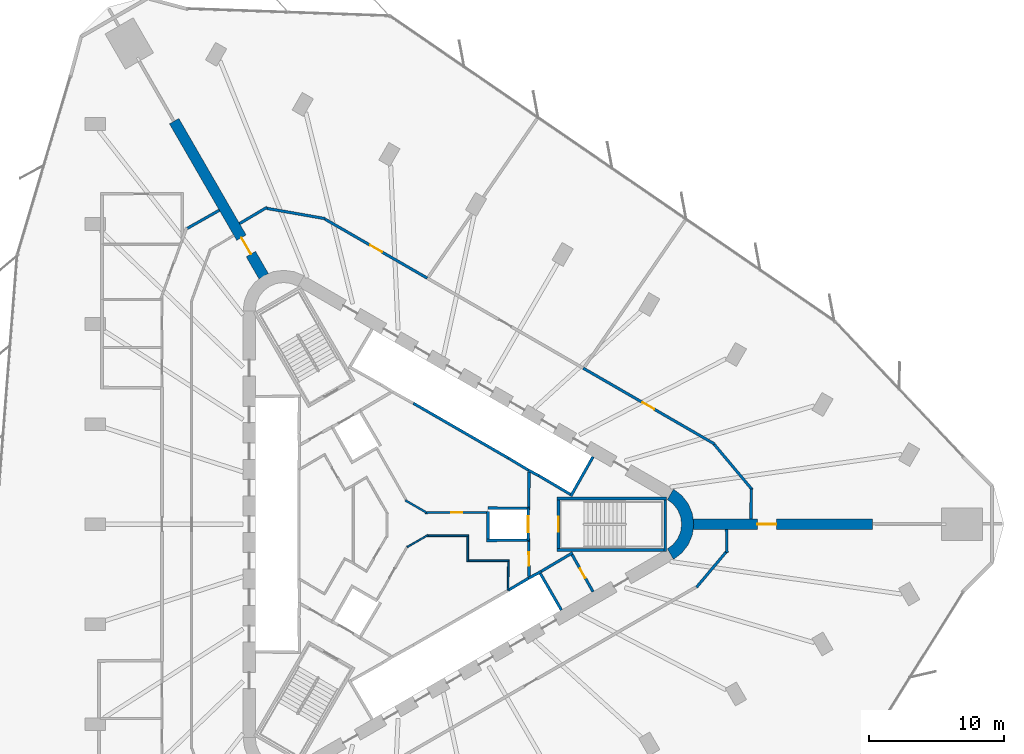
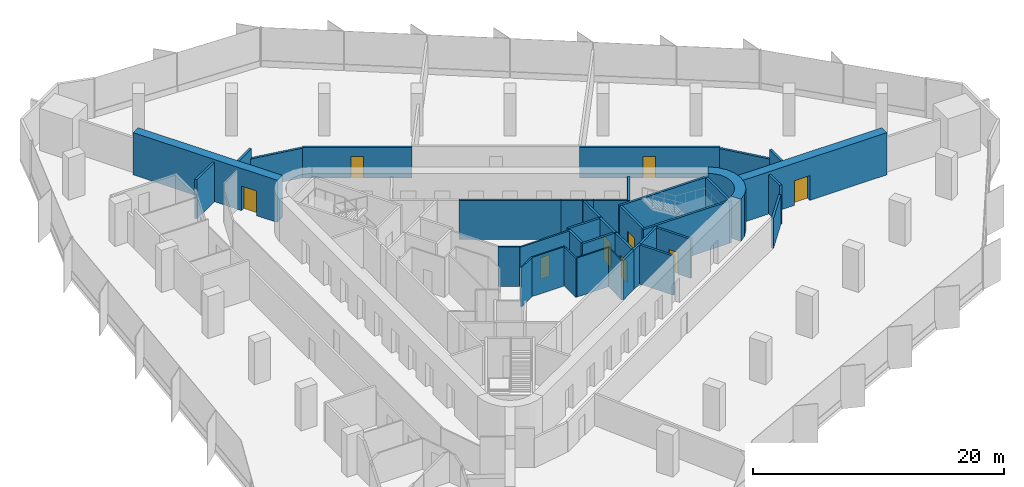
# One storey, part 12 of 15: 39 walls, 9 doors, 9 openings.
"""IFC4 building model written with IfcOpenShell, lengths in metres."""

from ifc_helpers import new_model, si_unit, direction, frame, frame_2d, origin, place, context, subcontext, project, spatial, polyline, rectangle, outline, extrude, material, layer, layer_set, type_object, element, fill, save


model = new_model("IFC4")

# Units and contexts
model_context = context("Model", 3, precision=1e-05, world=origin(), true_north=direction((0.0, 1.0)))
body_context = subcontext(model_context, "Body", "Model", "MODEL_VIEW")
ifc_project = project(units=[si_unit("LENGTHUNIT", "METRE"), si_unit("AREAUNIT", "SQUARE_METRE"), si_unit("VOLUMEUNIT", "CUBIC_METRE"), si_unit("PLANEANGLEUNIT", "RADIAN"), si_unit("MASSUNIT", "GRAM", prefix="KILO")], contexts=[model_context])

# Site, building, storey
site_placement = place(None, origin())
site = spatial("IfcSite", under=ifc_project, at=site_placement, CompositionType="ELEMENT")
building_placement = place(site_placement, origin())
building = spatial("IfcBuilding", under=site, at=building_placement, Name="Tanit Gate Tower", CompositionType="ELEMENT")
storey_placement = place(building_placement, frame((0.0, 0.0, 94.699951171875)))
storey = spatial("IfcBuildingStorey", under=building, at=storey_placement, Name="L19", CompositionType="ELEMENT", Elevation=94.699951171875)

# Wall, opening, door
ifc_material_1 = material(Name="Concrete C60/75", Category="concrete")
ifc_layer_1 = layer(ifc_material_1, 0.800048828125)
ifc_layer_set_1 = layer_set([ifc_layer_1], Name="BUTTRESS FIN 800 C60/75")
wall_type_1 = type_object("IfcWallType", Name="BUTTRESS FIN 800 C60/75", PredefinedType="SHEAR", material=ifc_layer_set_1)
wall_1_placement = place(storey_placement, frame((21.14990234375, 0.0, 0.0), z_axis=(0.0, 0.0, 1.0), x_axis=(1.0, 0.0, 0.0)))
wall_1 = element("IfcWall", 1, at=wall_1_placement, inside=storey, type_object=wall_type_1, Name="BUTTRESS FIN", PredefinedType="SHEAR", context=body_context, shape_type="SweptSolid", body=[
    extrude(rectangle(XDim=13.240966796875, YDim=0.800048828125, at=frame_2d((6.62060546875, 0.0))), origin(), (0.0, 0.0, 1.0), 4.10009765625),
])
opening_1_placement = place(wall_1_placement, frame((4.75, 0.0, 0.0)))
opening_1 = element("IfcOpeningElement", 2, at=opening_1_placement, cuts=wall_1, Name="Opening P14-S04-F-E-1", PredefinedType="OPENING", context=body_context, shape_type="SweptSolid", body=[
    extrude(rectangle(XDim=1.39990234375, YDim=2.39990234375, at=frame_2d((0.699951171875, 1.199951171875))), frame((0.0, 0.41015625, 0.0), z_axis=(0.0, -1.0, 0.0), x_axis=(1.0, 0.0, 0.0)), (0.0, 0.0, 1.0), 0.820068359375),
])
ifc_material_2 = material(Name="Timber door leaf", Category="wood")
door_type_1 = type_object("IfcDoorType", Name="INT-DOOR-FIN-PAIR-1400", OperationType="NOTDEFINED", PredefinedType="NOTDEFINED", material=ifc_material_2)
door_1_placement = place(opening_1_placement, origin())
door_1 = element("IfcDoor", 3, at=door_1_placement, inside=storey, type_object=door_type_1, Name="Door P14-S04-F-E-1", OperationType="DOUBLE_DOOR_SINGLE_SWING", OverallHeight=2.39990234375, OverallWidth=1.39990234375, PredefinedType="NOTDEFINED", context=body_context, shape_type="SweptSolid", body=[
    extrude(rectangle(XDim=1.39990234375, YDim=2.39990234375, at=frame_2d((0.699951171875, 1.199951171875))), frame((0.0, 0.02490234375, 0.0), z_axis=(0.0, -1.0, 0.0), x_axis=(1.0, 0.0, 0.0)), (0.0, 0.0, 1.0), 0.050048828125),
])
fill(opening_1, door_1)

wall_2_placement = place(storey_placement, frame((-10.574951171875, 18.31640625, 0.0), z_axis=(0.0, 0.0, 1.0), x_axis=(-0.500006018292, 0.866021929094, 0.0)))
wall_2 = element("IfcWall", 4, at=wall_2_placement, inside=storey, type_object=wall_type_1, Name="BUTTRESS FIN", PredefinedType="SHEAR", context=body_context, shape_type="SweptSolid", body=[
    extrude(rectangle(XDim=13.240966796875, YDim=0.800048828125, at=frame_2d((6.62060546875, 0.0))), origin(), (0.0, 0.0, 1.0), 4.10009765625),
])
opening_2_placement = place(wall_2_placement, frame((1.89990234375, 0.0, 0.0)))
opening_2 = element("IfcOpeningElement", 5, at=opening_2_placement, cuts=wall_2, Name="Opening P14-S04-F-NW-1", PredefinedType="OPENING", context=body_context, shape_type="SweptSolid", body=[
    extrude(rectangle(XDim=1.39990234375, YDim=2.39990234375, at=frame_2d((0.699951171875, 1.199951171875))), frame((0.0, 0.41015625, 0.0), z_axis=(0.0, -1.0, 0.0), x_axis=(1.0, 0.0, 0.0)), (0.0, 0.0, 1.0), 0.820068359375),
])
door_2_placement = place(opening_2_placement, origin())
door_2 = element("IfcDoor", 6, at=door_2_placement, inside=storey, type_object=door_type_1, Name="Door P14-S04-F-NW-1", OperationType="DOUBLE_DOOR_SINGLE_SWING", OverallHeight=2.39990234375, OverallWidth=1.39990234375, PredefinedType="NOTDEFINED", context=body_context, shape_type="SweptSolid", body=[
    extrude(rectangle(XDim=1.39990234375, YDim=2.39990234375, at=frame_2d((0.699951171875, 1.199951171875))), frame((0.0, 0.02490234375, 0.0), z_axis=(0.0, -1.0, 0.0), x_axis=(1.0, 0.0, 0.0)), (0.0, 0.0, 1.0), 0.050048828125),
])
fill(opening_2, door_2)

# Walls
ifc_material_3 = material(Name="Concrete C60/75", Category="concrete")
ifc_layer_2 = layer(ifc_material_3, 0.89990234375)
ifc_layer_set_2 = layer_set([ifc_layer_2], Name="CORE WALL 900 C60/75")
wall_type_2 = type_object("IfcWallType", Name="CORE WALL 900 C60/75", PredefinedType="SHEAR", material=ifc_layer_set_2)
wall_3_placement = place(storey_placement, origin())
element("IfcWall", 7, at=wall_3_placement, inside=storey, type_object=wall_type_2, Name="CORE WALL CORNER", PredefinedType="SHEAR", context=body_context, shape_type="SweptSolid", body=[
    extrude(outline(polyline([(19.699951171875, -2.59814453125), (20.3212890625, -2.121337890625), (20.798095703125, -1.5), (21.097900390625, -0.776611328125), (21.199951171875, 0.0), (21.097900390625, 0.776611328125), (20.798095703125, 1.5), (20.3212890625, 2.121337890625), (19.699951171875, 2.59814453125), (19.25, 1.818603515625), (19.684814453125, 1.48486328125), (20.018798828125, 1.050048828125), (20.228515625, 0.54345703125), (20.300048828125, 0.0), (20.228515625, -0.54345703125), (20.018798828125, -1.050048828125), (19.684814453125, -1.48486328125), (19.25, -1.818603515625), (19.699951171875, -2.59814453125)])), origin(), (0.0, 0.0, 1.0), 4.10009765625),
])
ifc_material_4 = material(Name="Fire-rated gypsum board partition")
ifc_layer_3 = layer(ifc_material_4, 0.199951171875)
ifc_layer_set_3 = layer_set([ifc_layer_3], Name="INT-WALL-COMPARTMENT")
wall_type_3 = type_object("IfcWallType", Name="INT-WALL-COMPARTMENT", PredefinedType="PARTITIONING", material=ifc_layer_set_3)
wall_4_placement = place(storey_placement, frame((12.244873046875, -2.10888671875, 0.0), z_axis=(0.0, 0.0, 1.0), x_axis=(-0.860414880418, -0.509594185166, 0.0)))
element("IfcWall", 8, at=wall_4_placement, inside=storey, type_object=wall_type_3, Name="Wall Compartment W057", PredefinedType="PARTITIONING", context=body_context, shape_type="SweptSolid", body=[
    extrude(rectangle(XDim=2.7001953125, YDim=0.199951171875, at=frame_2d((1.35009765625, 0.0))), origin(), (0.0, 0.0, 1.0), 3.800048828125),
])

# Wall, opening, door
wall_5_placement = place(storey_placement, frame((13.758056640625, -4.989501953125, 0.0), z_axis=(0.0, 0.0, 1.0), x_axis=(-0.491993409184, 0.87059892334, 0.0)))
wall_5 = element("IfcWall", 9, at=wall_5_placement, inside=storey, type_object=wall_type_3, Name="Wall Compartment W058", PredefinedType="PARTITIONING", context=body_context, shape_type="SweptSolid", body=[
    extrude(rectangle(XDim=3.150146484375, YDim=0.199951171875, at=frame_2d((1.5751953125, 0.0))), origin(), (0.0, 0.0, 1.0), 3.800048828125),
])
opening_3_placement = place(wall_5_placement, frame((1.175048828125, 0.0, 0.0)))
opening_3 = element("IfcOpeningElement", 10, at=opening_3_placement, cuts=wall_5, Name="Opening R08-S04-14", PredefinedType="OPENING", context=body_context, shape_type="SweptSolid", body=[
    extrude(rectangle(XDim=0.800048828125, YDim=2.10009765625, at=frame_2d((0.39990234375, 1.050048828125))), frame((0.0, 0.10986328125, 0.0), z_axis=(0.0, -1.0, 0.0), x_axis=(1.0, 0.0, 0.0)), (0.0, 0.0, 1.0), 0.219970703125),
])
ifc_material_5 = material(Name="Timber door leaf", Category="wood")
door_type_2 = type_object("IfcDoorType", Name="INT-DOOR-RISER-800", OperationType="NOTDEFINED", PredefinedType="USERDEFINED", material=ifc_material_5)
door_3_placement = place(opening_3_placement, origin())
door_3 = element("IfcDoor", 11, at=door_3_placement, inside=storey, type_object=door_type_2, Name="Door R08-S04-14", ObjectType="FIRE DOOR", OperationType="SINGLE_SWING_RIGHT", OverallHeight=2.10009765625, OverallWidth=0.800048828125, PredefinedType="USERDEFINED", context=body_context, shape_type="SweptSolid", body=[
    extrude(rectangle(XDim=0.800048828125, YDim=2.10009765625, at=frame_2d((0.39990234375, 1.050048828125))), frame((0.0, 0.02490234375, 0.0), z_axis=(0.0, -1.0, 0.0), x_axis=(1.0, 0.0, 0.0)), (0.0, 0.0, 1.0), 0.050048828125),
])
fill(opening_3, door_3)

# Wall
wall_6_placement = place(storey_placement, frame((9.0009765625, 1.27001953125, 0.0), z_axis=(0.0, 0.0, 1.0), x_axis=(0.010784614026, 0.999941844359, 0.0)))
element("IfcWall", 12, at=wall_6_placement, inside=storey, type_object=wall_type_3, Name="Wall Compartment W059", PredefinedType="PARTITIONING", context=body_context, shape_type="SweptSolid", body=[
    extrude(rectangle(XDim=2.580810546875, YDim=0.199951171875, at=frame_2d((1.29052734375, 0.0))), origin(), (0.0, 0.0, 1.0), 3.800048828125),
])

# Wall, opening, door
wall_7_placement = place(storey_placement, frame((9.02880859375, -3.850830078125, 0.0), z_axis=(0.0, 0.0, 1.0), x_axis=(-0.010783593937, 0.99994185536, 0.0)))
wall_7 = element("IfcWall", 13, at=wall_7_placement, inside=storey, type_object=wall_type_3, Name="Wall Compartment W060", PredefinedType="PARTITIONING", context=body_context, shape_type="SweptSolid", body=[
    extrude(rectangle(XDim=2.5810546875, YDim=0.199951171875, at=frame_2d((1.29052734375, 0.0))), origin(), (0.0, 0.0, 1.0), 3.800048828125),
])
opening_4_placement = place(wall_7_placement, frame((0.79052734375, 0.0, 0.0)))
opening_4 = element("IfcOpeningElement", 14, at=opening_4_placement, cuts=wall_7, Name="Opening F10-S04-02", PredefinedType="OPENING", context=body_context, shape_type="SweptSolid", body=[
    extrude(rectangle(XDim=1.0, YDim=2.10009765625, at=frame_2d((0.5, 1.050048828125))), frame((0.0, 0.10986328125, 0.0), z_axis=(0.0, -1.0, 0.0), x_axis=(1.0, 0.0, 0.0)), (0.0, 0.0, 1.0), 0.219970703125),
])
ifc_material_6 = material(Name="Fire-rated steel door leaf", Category="steel")
door_type_3 = type_object("IfcDoorType", Name="INT-DOOR-FIRE-1000", OperationType="NOTDEFINED", PredefinedType="USERDEFINED", material=ifc_material_6)
door_4_placement = place(opening_4_placement, origin())
door_4 = element("IfcDoor", 15, at=door_4_placement, inside=storey, type_object=door_type_3, Name="Door F10-S04-02", ObjectType="FIRE DOOR", OperationType="SINGLE_SWING_RIGHT", OverallHeight=2.10009765625, OverallWidth=1.0, PredefinedType="USERDEFINED", context=body_context, shape_type="SweptSolid", body=[
    extrude(rectangle(XDim=1.0, YDim=2.10009765625, at=frame_2d((0.5, 1.050048828125))), frame((0.0, 0.02490234375, 0.0), z_axis=(0.0, -1.0, 0.0), x_axis=(1.0, 0.0, 0.0)), (0.0, 0.0, 1.0), 0.050048828125),
])
fill(opening_4, door_4)

# Walls
wall_8_placement = place(storey_placement, frame((-13.8564453125, 23.199951171875, 0.0), z_axis=(0.0, 0.0, 1.0), x_axis=(-0.870639942446, -0.491920817426, 0.0)))
element("IfcWall", 16, at=wall_8_placement, inside=storey, type_object=wall_type_3, Name="Wall Compartment W095", PredefinedType="PARTITIONING", context=body_context, shape_type="SweptSolid", body=[
    extrude(rectangle(XDim=2.771240234375, YDim=0.199951171875, at=frame_2d((1.3857421875, 0.0))), origin(), (0.0, 0.0, 1.0), 3.800048828125),
])
wall_9_placement = place(storey_placement, frame((-10.3388671875, 23.4150390625, 0.0), z_axis=(0.0, 0.0, 1.0), x_axis=(-0.860316803263, -0.509759745393, 0.0)))
element("IfcWall", 17, at=wall_9_placement, inside=storey, type_object=wall_type_3, Name="Wall Compartment W103", PredefinedType="PARTITIONING", context=body_context, shape_type="SweptSolid", body=[
    extrude(rectangle(XDim=2.35400390625, YDim=0.199951171875, at=frame_2d((1.177001953125, 0.0))), origin(), (0.0, 0.0, 1.0), 3.800048828125),
])
wall_10_placement = place(storey_placement, frame((-6.042236328125, 22.58056640625, 0.0), z_axis=(0.0, 0.0, 1.0), x_axis=(-0.984805258509, 0.173662324106, 0.0)))
element("IfcWall", 18, at=wall_10_placement, inside=storey, type_object=wall_type_3, Name="Wall Compartment W104", PredefinedType="PARTITIONING", context=body_context, shape_type="SweptSolid", body=[
    extrude(rectangle(XDim=4.415771484375, YDim=0.199951171875, at=frame_2d((2.2080078125, 0.0))), origin(), (0.0, 0.0, 1.0), 2.880126953125),
])

# Wall, opening, door
wall_11_placement = place(storey_placement, frame((22.727294921875, 5.930908203125, 0.0), z_axis=(0.0, 0.0, 1.0), x_axis=(-0.866021821949, 0.50000620387, 0.0)))
wall_11 = element("IfcWall", 19, at=wall_11_placement, inside=storey, type_object=wall_type_3, Name="Wall Compartment W107", PredefinedType="PARTITIONING", context=body_context, shape_type="SweptSolid", body=[
    extrude(rectangle(XDim=11.196533203125, YDim=0.199951171875, at=frame_2d((5.59814453125, 0.0))), origin(), (0.0, 0.0, 1.0), 2.97998046875),
])
opening_5_placement = place(wall_11_placement, frame((5.13623046875, 0.0, 0.0)))
opening_5 = element("IfcOpeningElement", 20, at=opening_5_placement, cuts=wall_11, Name="Opening F10-S04-28", PredefinedType="OPENING", context=body_context, shape_type="SweptSolid", body=[
    extrude(rectangle(XDim=1.0, YDim=2.10009765625, at=frame_2d((0.5, 1.050048828125))), frame((0.0, 0.10986328125, 0.0), z_axis=(0.0, -1.0, 0.0), x_axis=(1.0, 0.0, 0.0)), (0.0, 0.0, 1.0), 0.219970703125),
])
door_5_placement = place(opening_5_placement, origin())
door_5 = element("IfcDoor", 21, at=door_5_placement, inside=storey, type_object=door_type_3, Name="Door F10-S04-28", ObjectType="FIRE DOOR", OperationType="SINGLE_SWING_RIGHT", OverallHeight=2.10009765625, OverallWidth=1.0, PredefinedType="USERDEFINED", context=body_context, shape_type="SweptSolid", body=[
    extrude(rectangle(XDim=1.0, YDim=2.10009765625, at=frame_2d((0.5, 1.050048828125))), frame((0.0, 0.02490234375, 0.0), z_axis=(0.0, -1.0, 0.0), x_axis=(1.0, 0.0, 0.0)), (0.0, 0.0, 1.0), 0.050048828125),
])
fill(opening_5, door_5)

wall_12_placement = place(storey_placement, frame((1.506103515625, 18.18310546875, 0.0), z_axis=(0.0, 0.0, 1.0), x_axis=(-0.866028170149, 0.499995208485, 0.0)))
wall_12 = element("IfcWall", 22, at=wall_12_placement, inside=storey, type_object=wall_type_3, Name="Wall Compartment W105", PredefinedType="PARTITIONING", context=body_context, shape_type="SweptSolid", body=[
    extrude(rectangle(XDim=8.7294921875, YDim=0.199951171875, at=frame_2d((4.36474609375, 0.0))), origin(), (0.0, 0.0, 1.0), 2.97998046875),
])
opening_6_placement = place(wall_12_placement, frame((3.86474609375, 0.0, 0.0)))
opening_6 = element("IfcOpeningElement", 23, at=opening_6_placement, cuts=wall_12, Name="Opening F10-S04-26", PredefinedType="OPENING", context=body_context, shape_type="SweptSolid", body=[
    extrude(rectangle(XDim=1.0, YDim=2.10009765625, at=frame_2d((0.5, 1.050048828125))), frame((0.0, 0.10986328125, 0.0), z_axis=(0.0, -1.0, 0.0), x_axis=(1.0, 0.0, 0.0)), (0.0, 0.0, 1.0), 0.219970703125),
])
door_6_placement = place(opening_6_placement, origin())
door_6 = element("IfcDoor", 24, at=door_6_placement, inside=storey, type_object=door_type_3, Name="Door F10-S04-26", ObjectType="FIRE DOOR", OperationType="SINGLE_SWING_LEFT", OverallHeight=2.10009765625, OverallWidth=1.0, PredefinedType="USERDEFINED", context=body_context, shape_type="SweptSolid", body=[
    extrude(rectangle(XDim=1.0, YDim=2.10009765625, at=frame_2d((0.5, 1.050048828125))), frame((0.0, 0.02490234375, 0.0), z_axis=(0.0, -1.0, 0.0), x_axis=(1.0, 0.0, 0.0)), (0.0, 0.0, 1.0), 0.050048828125),
])
fill(opening_6, door_6)

# Walls
wall_13_placement = place(storey_placement, frame((25.52099609375, 2.548095703125, 0.0), z_axis=(0.0, 0.0, 1.0), x_axis=(-0.642784253626, 0.766047259176, 0.0)))
element("IfcWall", 25, at=wall_13_placement, inside=storey, type_object=wall_type_3, Name="Wall Compartment W108", PredefinedType="PARTITIONING", context=body_context, shape_type="SweptSolid", body=[
    extrude(rectangle(XDim=4.381103515625, YDim=0.199951171875, at=frame_2d((2.1904296875, 0.0))), origin(), (0.0, 0.0, 1.0), 2.880126953125),
])
wall_14_placement = place(storey_placement, frame((25.420654296875, 0.39990234375, 0.0), z_axis=(0.0, 0.0, 1.0), x_axis=(0.011376843137, 0.999935281626, 0.0)))
element("IfcWall", 26, at=wall_14_placement, inside=storey, type_object=wall_type_3, Name="Wall Compartment W109", PredefinedType="PARTITIONING", context=body_context, shape_type="SweptSolid", body=[
    extrude(rectangle(XDim=2.18896484375, YDim=0.199951171875, at=frame_2d((1.094482421875, 0.0))), origin(), (0.0, 0.0, 1.0), 3.800048828125),
])
wall_15_placement = place(storey_placement, frame((23.64794921875, -2.097900390625, 0.0), z_axis=(0.0, 0.0, 1.0), x_axis=(-0.015095332307, 0.99988605898, 0.0)))
element("IfcWall", 27, at=wall_15_placement, inside=storey, type_object=wall_type_3, Name="Wall Compartment W110", PredefinedType="PARTITIONING", context=body_context, shape_type="SweptSolid", body=[
    extrude(rectangle(XDim=1.6982421875, YDim=0.199951171875, at=frame_2d((0.84912109375, 0.0))), origin(), (0.0, 0.0, 1.0), 3.800048828125),
])
wall_16_placement = place(storey_placement, frame((21.4013671875, -4.657470703125, 0.0), z_axis=(0.0, 0.0, 1.0), x_axis=(0.642796210095, 0.766037226437, 0.0)))
element("IfcWall", 28, at=wall_16_placement, inside=storey, type_object=wall_type_3, Name="Wall Compartment W111", PredefinedType="PARTITIONING", context=body_context, shape_type="SweptSolid", body=[
    extrude(rectangle(XDim=3.44287109375, YDim=0.199951171875, at=frame_2d((1.721435546875, 0.0))), origin(), (0.0, 0.0, 1.0), 2.880126953125),
])
ifc_material_7 = material(Name="Gypsum board partition")
ifc_layer_4 = layer(ifc_material_7, 0.1201171875)
ifc_layer_set_4 = layer_set([ifc_layer_4], Name="INT-WALL-PARTITION")
wall_type_4 = type_object("IfcWallType", Name="INT-WALL-PARTITION", PredefinedType="PARTITIONING", material=ifc_layer_set_4)
wall_17_placement = place(storey_placement, frame((1.562255859375, -0.798095703125, 0.0), z_axis=(0.0, 0.0, 1.0), x_axis=(-0.86601248742, -0.500022371132, 0.0)))
element("IfcWall", 29, at=wall_17_placement, inside=storey, type_object=wall_type_4, Name="Wall Partition W069", PredefinedType="PARTITIONING", context=body_context, shape_type="SweptSolid", body=[
    extrude(rectangle(XDim=1.78515625, YDim=0.1201171875, at=frame_2d((0.892578125, 0.0))), origin(), (0.0, 0.0, 1.0), 3.800048828125),
])
wall_18_placement = place(storey_placement, frame((4.56005859375, -0.85009765625, 0.0), z_axis=(0.0, 0.0, 1.0), x_axis=(-1.0, 0.0, 0.0)))
element("IfcWall", 30, at=wall_18_placement, inside=storey, type_object=wall_type_4, Name="Wall Partition W070", PredefinedType="PARTITIONING", context=body_context, shape_type="SweptSolid", body=[
    extrude(rectangle(XDim=3.0693359375, YDim=0.1201171875, at=frame_2d((1.53466796875, 0.0))), origin(), (0.0, 0.0, 1.0), 3.800048828125),
])
wall_19_placement = place(storey_placement, frame((4.5, -2.760009765625, 0.0), z_axis=(0.0, 0.0, 1.0), x_axis=(0.0, 1.0, 0.0)))
element("IfcWall", 31, at=wall_19_placement, inside=storey, type_object=wall_type_4, Name="Wall Partition W071", PredefinedType="PARTITIONING", context=body_context, shape_type="SweptSolid", body=[
    extrude(rectangle(XDim=1.85009765625, YDim=0.1201171875, at=frame_2d((0.925048828125, 0.0))), origin(), (0.0, 0.0, 1.0), 3.800048828125),
])
wall_20_placement = place(storey_placement, frame((7.56005859375, -2.699951171875, 0.0), z_axis=(0.0, 0.0, 1.0), x_axis=(-1.0, 0.0, 0.0)))
element("IfcWall", 32, at=wall_20_placement, inside=storey, type_object=wall_type_4, Name="Wall Partition W072", PredefinedType="PARTITIONING", context=body_context, shape_type="SweptSolid", body=[
    extrude(rectangle(XDim=3.0, YDim=0.1201171875, at=frame_2d((1.5, 0.0))), origin(), (0.0, 0.0, 1.0), 3.800048828125),
])
wall_21_placement = place(storey_placement, frame((7.474609375, -4.864501953125, 0.0), z_axis=(0.0, 0.0, 1.0), x_axis=(0.011716133148, 0.999931363757, 0.0)))
element("IfcWall", 33, at=wall_21_placement, inside=storey, type_object=wall_type_4, Name="Wall Partition W073", PredefinedType="PARTITIONING", context=body_context, shape_type="SweptSolid", body=[
    extrude(rectangle(XDim=2.104736328125, YDim=0.1201171875, at=frame_2d((1.05224609375, 0.0))), origin(), (0.0, 0.0, 1.0), 3.800048828125),
])

# Wall, opening, door
ifc_material_8 = material(Name="Fire-rated gypsum board partition")
ifc_layer_5 = layer(ifc_material_8, 0.14990234375)
ifc_layer_set_5 = layer_set([ifc_layer_5], Name="INT-WALL-RISER")
wall_type_5 = type_object("IfcWallType", Name="INT-WALL-RISER", PredefinedType="PLUMBINGWALL", material=ifc_layer_set_5)
wall_22_placement = place(storey_placement, frame((1.34423828125, 0.84912109375, 0.0), z_axis=(0.0, 0.0, 1.0), x_axis=(0.999978627641, 0.00653790957, 0.0)))
wall_22 = element("IfcWall", 34, at=wall_22_placement, inside=storey, type_object=wall_type_5, Name="Wall Riser W065", PredefinedType="PLUMBINGWALL", context=body_context, shape_type="SweptSolid", body=[
    extrude(rectangle(XDim=4.5556640625, YDim=0.14990234375, at=frame_2d((2.27783203125, 0.0))), origin(), (0.0, 0.0, 1.0), 3.800048828125),
])
opening_7_placement = place(wall_22_placement, frame((1.94189453125, 0.0, 0.0)))
opening_7 = element("IfcOpeningElement", 35, at=opening_7_placement, cuts=wall_22, Name="Opening R08-S04-10", PredefinedType="OPENING", context=body_context, shape_type="SweptSolid", body=[
    extrude(rectangle(XDim=0.800048828125, YDim=2.10009765625, at=frame_2d((0.39990234375, 1.050048828125))), frame((0.0, 0.0849609375, 0.0), z_axis=(0.0, -1.0, 0.0), x_axis=(1.0, 0.0, 0.0)), (0.0, 0.0, 1.0), 0.169921875),
])
door_7_placement = place(opening_7_placement, origin())
door_7 = element("IfcDoor", 36, at=door_7_placement, inside=storey, type_object=door_type_2, Name="Door R08-S04-10", ObjectType="FIRE DOOR", OperationType="SINGLE_SWING_LEFT", OverallHeight=2.10009765625, OverallWidth=0.800048828125, PredefinedType="USERDEFINED", context=body_context, shape_type="SweptSolid", body=[
    extrude(rectangle(XDim=0.800048828125, YDim=2.10009765625, at=frame_2d((0.39990234375, 1.050048828125))), frame((0.0, 0.02490234375, 0.0), z_axis=(0.0, -1.0, 0.0), x_axis=(1.0, 0.0, 0.0)), (0.0, 0.0, 1.0), 0.050048828125),
])
fill(opening_7, door_7)

# Walls
wall_23_placement = place(storey_placement, frame((-0.11083984375, 1.763916015625, 0.0), z_axis=(0.0, 0.0, 1.0), x_axis=(0.866061671171, -0.499937177781, 0.0)))
element("IfcWall", 37, at=wall_23_placement, inside=storey, type_object=wall_type_5, Name="Wall Riser W066", PredefinedType="PLUMBINGWALL", context=body_context, shape_type="SweptSolid", body=[
    extrude(rectangle(XDim=1.804443359375, YDim=0.14990234375, at=frame_2d((0.90234375, 0.0))), origin(), (0.0, 0.0, 1.0), 3.800048828125),
])
ifc_material_9 = material(Name="Gypsum shaft wall system")
ifc_layer_6 = layer(ifc_material_9, 0.199951171875)
ifc_layer_set_6 = layer_set([ifc_layer_6], Name="INT-WALL-SHAFT")
wall_type_6 = type_object("IfcWallType", Name="INT-WALL-SHAFT", PredefinedType="PLUMBINGWALL", material=ifc_layer_set_6)
wall_24_placement = place(storey_placement, frame((7.497314453125, 4.885986328125, 0.0), z_axis=(0.0, 0.0, 1.0), x_axis=(-0.866030989016, 0.499990325971, 0.0)))
element("IfcWall", 38, at=wall_24_placement, inside=storey, type_object=wall_type_6, Name="Wall Shaft W003", PredefinedType="PLUMBINGWALL", context=body_context, shape_type="SweptSolid", body=[
    extrude(rectangle(XDim=8.099853515625, YDim=0.199951171875, at=frame_2d((4.0498046875, 0.0))), origin(), (0.0, 0.0, 1.0), 3.800048828125),
])
wall_25_placement = place(storey_placement, frame((12.10986328125, 2.07275390625, 0.0), z_axis=(0.0, 0.0, 1.0), x_axis=(0.49196600604, 0.870614408852, 0.0)))
element("IfcWall", 39, at=wall_25_placement, inside=storey, type_object=wall_type_6, Name="Wall Shaft W013", PredefinedType="PLUMBINGWALL", context=body_context, shape_type="SweptSolid", body=[
    extrude(rectangle(XDim=3.35009765625, YDim=0.199951171875, at=frame_2d((1.675048828125, 0.0))), origin(), (0.0, 0.0, 1.0), 3.800048828125),
])
wall_26_placement = place(storey_placement, frame((12.072998046875, 2.2109375, 0.0), z_axis=(0.0, 0.0, 1.0), x_axis=(-0.860438357912, 0.509554542943, 0.0)))
element("IfcWall", 40, at=wall_26_placement, inside=storey, type_object=wall_type_6, Name="Wall Shaft W014", PredefinedType="PLUMBINGWALL", context=body_context, shape_type="SweptSolid", body=[
    extrude(rectangle(XDim=2.700439453125, YDim=0.199951171875, at=frame_2d((1.35009765625, 0.0))), origin(), (0.0, 0.0, 1.0), 3.800048828125),
])
wall_27_placement = place(storey_placement, frame((9.74755859375, 3.583251953125, 0.0), z_axis=(0.0, 0.0, 1.0), x_axis=(-0.880917147855, 0.473270513147, 0.0)))
element("IfcWall", 41, at=wall_27_placement, inside=storey, type_object=wall_type_6, Name="Wall Shaft W015", PredefinedType="PLUMBINGWALL", context=body_context, shape_type="SweptSolid", body=[
    extrude(rectangle(XDim=0.8779296875, YDim=0.199951171875, at=frame_2d((0.43896484375, 0.0))), origin(), (0.0, 0.0, 1.0), 3.800048828125),
])
wall_28_placement = place(storey_placement, frame((9.0791015625, 3.93701171875, 0.0), z_axis=(0.0, 0.0, 1.0), x_axis=(-0.857516281273, 0.51445682749, 0.0)))
element("IfcWall", 42, at=wall_28_placement, inside=storey, type_object=wall_type_6, Name="Wall Shaft W016", PredefinedType="PLUMBINGWALL", context=body_context, shape_type="SweptSolid", body=[
    extrude(rectangle(XDim=1.8447265625, YDim=0.199951171875, at=frame_2d((0.92236328125, 0.0))), origin(), (0.0, 0.0, 1.0), 3.800048828125),
])
wall_29_placement = place(storey_placement, frame((9.794677734375, -3.52490234375, 0.0), z_axis=(0.0, 0.0, 1.0), x_axis=(0.499984717929, -0.866034226713, 0.0)))
element("IfcWall", 43, at=wall_29_placement, inside=storey, type_object=wall_type_6, Name="Wall Shaft W024", PredefinedType="PLUMBINGWALL", context=body_context, shape_type="SweptSolid", body=[
    extrude(rectangle(XDim=3.25, YDim=0.199951171875, at=frame_2d((1.625, 0.0))), origin(), (0.0, 0.0, 1.0), 3.800048828125),
])
wall_30_placement = place(storey_placement, frame((8.97412109375, -3.998779296875, 0.0), z_axis=(0.0, 0.0, 1.0), x_axis=(0.880907015104, 0.473289373154, 0.0)))
element("IfcWall", 44, at=wall_30_placement, inside=storey, type_object=wall_type_6, Name="Wall Shaft W025", PredefinedType="PLUMBINGWALL", context=body_context, shape_type="SweptSolid", body=[
    extrude(rectangle(XDim=1.078125, YDim=0.199951171875, at=frame_2d((0.5390625, 0.0))), origin(), (0.0, 0.0, 1.0), 3.800048828125),
])
wall_31_placement = place(storey_placement, frame((7.4931640625, -4.87841796875, 0.0), z_axis=(0.0, 0.0, 1.0), x_axis=(0.859981807212, 0.510324691999, 0.0)))
element("IfcWall", 45, at=wall_31_placement, inside=storey, type_object=wall_type_6, Name="Wall Shaft W026", PredefinedType="PLUMBINGWALL", context=body_context, shape_type="SweptSolid", body=[
    extrude(rectangle(XDim=1.8447265625, YDim=0.199951171875, at=frame_2d((0.92236328125, 0.0))), origin(), (0.0, 0.0, 1.0), 3.800048828125),
])

# Wall, opening, door
wall_32_placement = place(storey_placement, frame((8.969970703125, 1.199951171875, 0.0), z_axis=(0.0, 0.0, 1.0), x_axis=(0.0, -1.0, 0.0)))
wall_32 = element("IfcWall", 46, at=wall_32_placement, inside=storey, type_object=wall_type_6, Name="Wall Shaft W037", PredefinedType="PLUMBINGWALL", context=body_context, shape_type="SweptSolid", body=[
    extrude(rectangle(XDim=2.39990234375, YDim=0.199951171875, at=frame_2d((1.199951171875, 0.0))), origin(), (0.0, 0.0, 1.0), 3.800048828125),
])
opening_8_placement = place(wall_32_placement, frame((0.60009765625, 0.0, 0.0)))
opening_8 = element("IfcOpeningElement", 47, at=opening_8_placement, cuts=wall_32, Name="Opening LDFL1-L19", PredefinedType="OPENING", context=body_context, shape_type="SweptSolid", body=[
    extrude(rectangle(XDim=1.199951171875, YDim=2.39990234375, at=frame_2d((0.60009765625, 1.199951171875))), frame((0.0, 0.10986328125, 0.0), z_axis=(0.0, -1.0, 0.0), x_axis=(1.0, 0.0, 0.0)), (0.0, 0.0, 1.0), 0.219970703125),
])
ifc_material_10 = material(Name="Stainless steel sliding door leaf", Category="steel")
door_type_4 = type_object("IfcDoorType", Name="INT-DOOR-LANDING-1200", OperationType="NOTDEFINED", PredefinedType="USERDEFINED", material=ifc_material_10)
door_8_placement = place(opening_8_placement, origin())
door_8 = element("IfcDoor", 48, at=door_8_placement, inside=storey, type_object=door_type_4, Name="Door LDFL1-L19", ObjectType="LANDING DOOR", OperationType="SLIDING_TO_LEFT", OverallHeight=2.39990234375, OverallWidth=1.199951171875, PredefinedType="USERDEFINED", context=body_context, shape_type="SweptSolid", body=[
    extrude(rectangle(XDim=1.199951171875, YDim=2.39990234375, at=frame_2d((0.60009765625, 1.199951171875))), frame((0.0, 0.02490234375, 0.0), z_axis=(0.0, -1.0, 0.0), x_axis=(1.0, 0.0, 0.0)), (0.0, 0.0, 1.0), 0.050048828125),
])
fill(opening_8, door_8)

# Walls
wall_33_placement = place(storey_placement, frame((6.0, 1.199951171875, 0.0), z_axis=(0.0, 0.0, 1.0), x_axis=(0.999949988, -0.010001074852, 0.0)))
element("IfcWall", 49, at=wall_33_placement, inside=storey, type_object=wall_type_6, Name="Wall Shaft W038", PredefinedType="PLUMBINGWALL", context=body_context, shape_type="SweptSolid", body=[
    extrude(rectangle(XDim=3.100341796875, YDim=0.199951171875, at=frame_2d((1.55029296875, 0.0))), origin(), (0.0, 0.0, 1.0), 3.800048828125),
])
wall_34_placement = place(storey_placement, frame((5.89990234375, -1.200927734375, 0.0), z_axis=(0.0, 0.0, 1.0), x_axis=(0.999950064753, 0.009993397809, 0.0)))
element("IfcWall", 50, at=wall_34_placement, inside=storey, type_object=wall_type_6, Name="Wall Shaft W039", PredefinedType="PLUMBINGWALL", context=body_context, shape_type="SweptSolid", body=[
    extrude(rectangle(XDim=3.200439453125, YDim=0.199951171875, at=frame_2d((1.60009765625, 0.0))), origin(), (0.0, 0.0, 1.0), 3.800048828125),
])
wall_35_placement = place(storey_placement, frame((6.0, -1.10009765625, 0.0), z_axis=(0.0, 0.0, 1.0), x_axis=(0.0, 1.0, 0.0)))
element("IfcWall", 51, at=wall_35_placement, inside=storey, type_object=wall_type_6, Name="Wall Shaft W040", PredefinedType="PLUMBINGWALL", context=body_context, shape_type="SweptSolid", body=[
    extrude(rectangle(XDim=2.0546875, YDim=0.199951171875, at=frame_2d((1.02734375, 0.0))), origin(), (0.0, 0.0, 1.0), 3.800048828125),
])
ifc_material_11 = material(Name="Concrete C40/50", Category="concrete")
ifc_layer_7 = layer(ifc_material_11, 0.199951171875)
ifc_layer_set_7 = layer_set([ifc_layer_7], Name="INT-WALL-STAIR")
wall_type_7 = type_object("IfcWallType", Name="INT-WALL-STAIR", PredefinedType="SHEAR", material=ifc_layer_set_7)
wall_36_placement = place(storey_placement, frame((19.199951171875, 1.89990234375, -0.300048828125), z_axis=(0.0, 0.0, 1.0), x_axis=(-1.0, 0.0, 0.0)))
element("IfcWall", 52, at=wall_36_placement, inside=storey, type_object=wall_type_7, Name="Wall Stair W033", PredefinedType="SHEAR", context=body_context, shape_type="SweptSolid", body=[
    extrude(rectangle(XDim=8.099853515625, YDim=0.199951171875, at=frame_2d((4.0498046875, 0.0))), origin(), (0.0, 0.0, 1.0), 4.10009765625),
])
wall_37_placement = place(storey_placement, frame((19.10009765625, -2.0, -0.300048828125), z_axis=(0.0, 0.0, 1.0), x_axis=(0.0, 1.0, 0.0)))
element("IfcWall", 53, at=wall_37_placement, inside=storey, type_object=wall_type_7, Name="Wall Stair W034", PredefinedType="SHEAR", context=body_context, shape_type="SweptSolid", body=[
    extrude(rectangle(XDim=3.800048828125, YDim=0.199951171875, at=frame_2d((1.89990234375, 0.0))), origin(), (0.0, 0.0, 1.0), 4.10009765625),
])
wall_38_placement = place(storey_placement, frame((11.10009765625, -1.89990234375, -0.300048828125), z_axis=(0.0, 0.0, 1.0), x_axis=(1.0, 0.0, 0.0)))
element("IfcWall", 54, at=wall_38_placement, inside=storey, type_object=wall_type_7, Name="Wall Stair W035", PredefinedType="SHEAR", context=body_context, shape_type="SweptSolid", body=[
    extrude(rectangle(XDim=7.89990234375, YDim=0.199951171875, at=frame_2d((3.949951171875, 0.0))), origin(), (0.0, 0.0, 1.0), 4.10009765625),
])

# Wall, opening, door
wall_39_placement = place(storey_placement, frame((11.199951171875, -1.800048828125, -0.300048828125), z_axis=(0.0, 0.0, 1.0), x_axis=(0.0, 1.0, 0.0)))
wall_39 = element("IfcWall", 55, at=wall_39_placement, inside=storey, type_object=wall_type_7, Name="Wall Stair W036", PredefinedType="SHEAR", context=body_context, shape_type="SweptSolid", body=[
    extrude(rectangle(XDim=3.60009765625, YDim=0.199951171875, at=frame_2d((1.800048828125, 0.0))), origin(), (0.0, 0.0, 1.0), 4.10009765625),
])
opening_9_placement = place(wall_39_placement, frame((1.25, 0.0, 0.300048828125)))
opening_9 = element("IfcOpeningElement", 56, at=opening_9_placement, cuts=wall_39, Name="Opening S11-S04-01", PredefinedType="OPENING", context=body_context, shape_type="SweptSolid", body=[
    extrude(rectangle(XDim=1.10009765625, YDim=2.10009765625, at=frame_2d((0.550048828125, 1.050048828125))), frame((0.0, 0.10986328125, 0.0), z_axis=(0.0, -1.0, 0.0), x_axis=(1.0, 0.0, 0.0)), (0.0, 0.0, 1.0), 0.219970703125),
])
ifc_material_12 = material(Name="Timber door leaf", Category="wood")
door_type_5 = type_object("IfcDoorType", Name="INT-DOOR-STAIR-1100", OperationType="NOTDEFINED", PredefinedType="USERDEFINED", material=ifc_material_12)
door_9_placement = place(opening_9_placement, origin())
door_9 = element("IfcDoor", 57, at=door_9_placement, inside=storey, type_object=door_type_5, Name="Door S11-S04-01", ObjectType="FIRE DOOR", OperationType="SINGLE_SWING_RIGHT", OverallHeight=2.10009765625, OverallWidth=1.10009765625, PredefinedType="USERDEFINED", context=body_context, shape_type="SweptSolid", body=[
    extrude(rectangle(XDim=1.10009765625, YDim=2.10009765625, at=frame_2d((0.550048828125, 1.050048828125))), frame((0.0, 0.02490234375, 0.0), z_axis=(0.0, -1.0, 0.0), x_axis=(1.0, 0.0, 0.0)), (0.0, 0.0, 1.0), 0.050048828125),
])
fill(opening_9, door_9)

save(model, "model.ifc")
